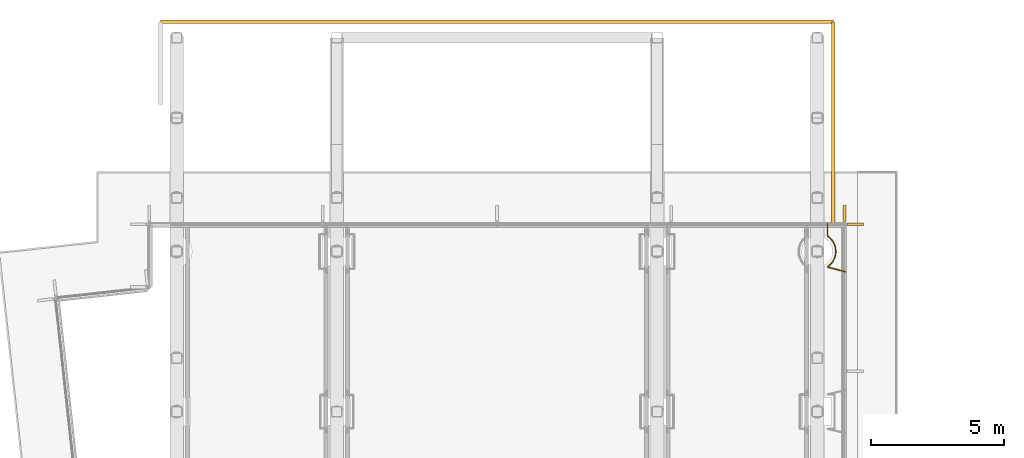
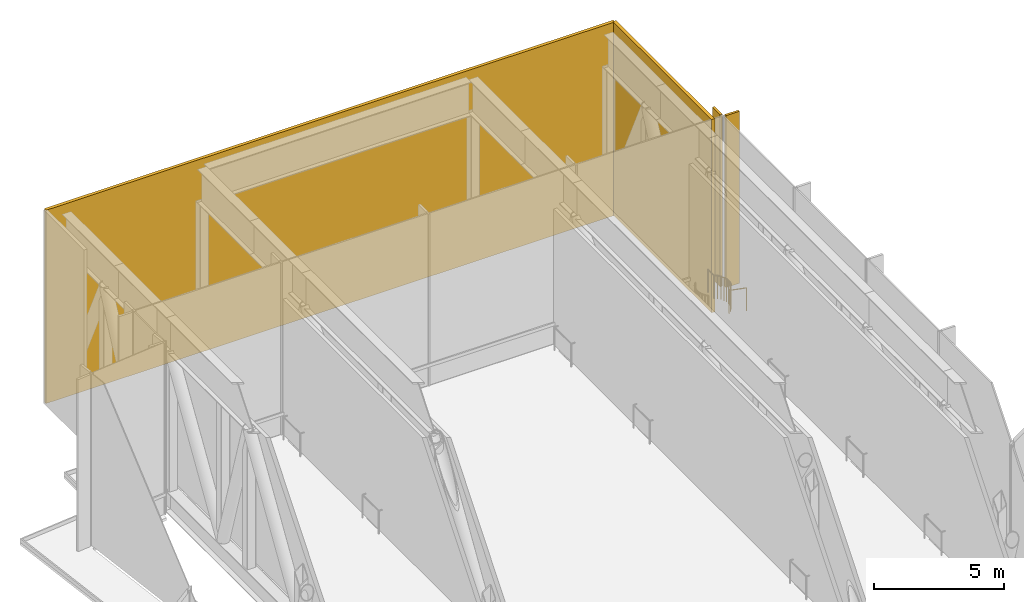
# One storey, part 25 of 25: 4 coverings, 1 railing.
"""IFC4 building model written with IfcOpenShell, lengths in metres."""

from ifc_helpers import new_model, si_unit, direction, frame, origin, origin_2d, place, context, subcontext, project, spatial, polyline, rectangle, circle, outline, extrude, material, layer, layer_set, type_object, element, save


model = new_model("IFC4")

# Units and contexts
model_context = context("Model", 3, precision=1e-05, world=origin(), true_north=direction((0.0, 1.0)))
body_context = subcontext(model_context, "Body", "Model", "MODEL_VIEW")
ifc_project = project(units=[si_unit("LENGTHUNIT", "METRE"), si_unit("AREAUNIT", "SQUARE_METRE"), si_unit("VOLUMEUNIT", "CUBIC_METRE"), si_unit("PLANEANGLEUNIT", "RADIAN"), si_unit("MASSUNIT", "GRAM", prefix="KILO")], contexts=[model_context])

# Site, building, storey
site_placement = place(None, origin())
site = spatial("IfcSite", under=ifc_project, at=site_placement, CompositionType="ELEMENT")
building_placement = place(site_placement, origin())
building = spatial("IfcBuilding", under=site, at=building_placement, Name="Welwitschia Terrace Campus", CompositionType="ELEMENT")
storey_placement = place(building_placement, frame((0.0, 0.0, 79.39990234375)))
storey = spatial("IfcBuildingStorey", under=building, at=storey_placement, Name="L18", CompositionType="ELEMENT", Elevation=79.39990234375)

# Coverings
ifc_material_1 = material(Name="Bronze anodised aluminium", Category="aluminium")
ifc_layer_1 = layer(ifc_material_1, 0.10009765625)
ifc_layer_set_1 = layer_set([ifc_layer_1], Name="Bronze anodised aluminium")
covering_type_1 = type_object("IfcCoveringType", Name="Bronze fin 100x600", PredefinedType="USERDEFINED", material=ifc_layer_set_1)
for number, where, z_axis, x_axis, name in (
    (1, (25.02001953125, 63.429931640625, 0.0), (0.0, 0.0, 1.0), (-1.0, 0.0, 0.0), "Fin L18.0.0"),
    (2, (25.429931640625, 63.02001953125, 0.0), (0.0, 0.0, 1.0), (0.0, 1.0, 0.0), "Fin L18.15.6"),
):
    element("IfcCovering", number, at=place(storey_placement, frame(where, z_axis=z_axis, x_axis=x_axis)), inside=storey, type_object=covering_type_1, Name=name, ObjectType="FIN", PredefinedType="USERDEFINED", context=body_context, shape_type="SweptSolid", body=[
        extrude(rectangle(XDim=0.10009765625, YDim=0.60009765625, at=origin_2d()), origin(), (0.0, 0.0, 1.0), 8.050048828125),
    ])

# Railing
ifc_material_2 = material(Name="Stainless steel grade 316", Category="steel")
railing_type = type_object("IfcRailingType", Name="Guard 1100", PredefinedType="GUARDRAIL", material=ifc_material_2)
railing_placement = place(storey_placement, frame((25.050048828125, 61.23681640625, 0.0)))
element("IfcRailing", 3, at=railing_placement, inside=storey, type_object=railing_type, Name="Guard floor edge L18.21", PredefinedType="GUARDRAIL", context=body_context, shape_type="SweptSolid", body=[
    extrude(circle(Radius=0.02392578125, at=origin_2d()), frame((0.0, 0.0, 1.076171875), z_axis=(-0.965265180142, 0.261272141656, 0.0), x_axis=(-0.261272141656, -0.965265180142, 0.0)), (0.0, 0.0, 1.0), 0.6943359375),
    extrude(circle(Radius=0.02392578125, at=origin_2d()), frame((-0.670166015625, 0.181396484375, 1.076171875), z_axis=(0.887754531449, 0.460317164455, 0.0), x_axis=(-0.460317164455, 0.887754531449, 0.0)), (0.0, 0.0, 1.0), 0.00732421875),
    extrude(circle(Radius=0.02392578125, at=origin_2d()), frame((-0.66357421875, 0.184814453125, 1.076171875), z_axis=(0.77187853694, 0.635770024625, 0.0), x_axis=(-0.635770024625, 0.77187853694, 0.0)), (0.0, 0.0, 1.0), 0.13623046875),
    extrude(circle(Radius=0.02392578125, at=origin_2d()), frame((-0.558349609375, 0.271484375, 1.076171875), z_axis=(0.635770024625, 0.77187853694, 0.0), x_axis=(-0.77187853694, 0.635770024625, 0.0)), (0.0, 0.0, 1.0), 0.13623046875),
    extrude(circle(Radius=0.02392578125, at=origin_2d()), frame((-0.4716796875, 0.376708984375, 1.076171875), z_axis=(0.470681121721, 0.882303395469, 0.0), x_axis=(-0.882303395469, 0.470681121721, 0.0)), (0.0, 0.0, 1.0), 0.136474609375),
    extrude(circle(Radius=0.02392578125, at=origin_2d()), frame((-0.407470703125, 0.4970703125, 1.076171875), z_axis=(0.290305798508, 0.956933928415, 0.0), x_axis=(-0.956933928415, 0.290305798508, 0.0)), (0.0, 0.0, 1.0), 0.13623046875),
    extrude(circle(Radius=0.02392578125, at=origin_2d()), frame((-0.367919921875, 0.62744140625, 1.076171875), z_axis=(0.098440399571, 0.995142948391, 0.0), x_axis=(-0.995142948391, 0.098440399571, 0.0)), (0.0, 0.0, 1.0), 0.136474609375),
    extrude(circle(Radius=0.02392578125, at=origin_2d()), frame((-0.3544921875, 0.76318359375, 1.076171875), z_axis=(-0.098440399571, 0.995142948391, 0.0), x_axis=(-0.995142948391, -0.098440399571, 0.0)), (0.0, 0.0, 1.0), 0.136474609375),
    extrude(circle(Radius=0.02392578125, at=origin_2d()), frame((-0.367919921875, 0.89892578125, 1.076171875), z_axis=(-0.290305798508, 0.956933928415, 0.0), x_axis=(-0.956933928415, -0.290305798508, 0.0)), (0.0, 0.0, 1.0), 0.13623046875),
    extrude(circle(Radius=0.02392578125, at=origin_2d()), frame((-0.407470703125, 1.029296875, 1.076171875), z_axis=(-0.470681121721, 0.882303395469, 0.0), x_axis=(-0.882303395469, -0.470681121721, 0.0)), (0.0, 0.0, 1.0), 0.136474609375),
    extrude(circle(Radius=0.02392578125, at=origin_2d()), frame((-0.4716796875, 1.149658203125, 1.076171875), z_axis=(-0.635770024625, 0.77187853694, 0.0), x_axis=(-0.77187853694, -0.635770024625, 0.0)), (0.0, 0.0, 1.0), 0.13623046875),
    extrude(circle(Radius=0.02392578125, at=origin_2d()), frame((-0.558349609375, 1.2548828125, 1.076171875), z_axis=(-0.77187853694, 0.635770024625, 0.0), x_axis=(-0.635770024625, -0.77187853694, 0.0)), (0.0, 0.0, 1.0), 0.13623046875),
    extrude(circle(Radius=0.02392578125, at=origin_2d()), frame((-0.66357421875, 1.341552734375, 1.076171875), z_axis=(-0.887754531449, 0.460317164455, 0.0), x_axis=(-0.460317164455, -0.887754531449, 0.0)), (0.0, 0.0, 1.0), 0.00732421875),
    extrude(circle(Radius=0.02392578125, at=origin_2d()), frame((-0.670166015625, 1.344970703125, 1.076171875), z_axis=(0.0, 1.0, 0.0), x_axis=(-1.0, 0.0, 0.0)), (0.0, 0.0, 1.0), 0.46826171875),
    extrude(circle(Radius=0.02099609375, at=origin_2d()), origin(), (0.0, 0.0, 1.0), 1.052001953125),
    extrude(circle(Radius=0.02099609375, at=origin_2d()), frame((-0.670166015625, 0.181396484375, 0.0)), (0.0, 0.0, 1.0), 1.052001953125),
    extrude(circle(Radius=0.02099609375, at=origin_2d()), frame((-0.66357421875, 0.184814453125, 0.0)), (0.0, 0.0, 1.0), 1.052001953125),
    extrude(circle(Radius=0.02099609375, at=origin_2d()), frame((-0.558349609375, 0.271484375, 0.0)), (0.0, 0.0, 1.0), 1.052001953125),
    extrude(circle(Radius=0.02099609375, at=origin_2d()), frame((-0.4716796875, 0.376708984375, 0.0)), (0.0, 0.0, 1.0), 1.052001953125),
    extrude(circle(Radius=0.02099609375, at=origin_2d()), frame((-0.407470703125, 0.4970703125, 0.0)), (0.0, 0.0, 1.0), 1.052001953125),
    extrude(circle(Radius=0.02099609375, at=origin_2d()), frame((-0.367919921875, 0.62744140625, 0.0)), (0.0, 0.0, 1.0), 1.052001953125),
    extrude(circle(Radius=0.02099609375, at=origin_2d()), frame((-0.3544921875, 0.76318359375, 0.0)), (0.0, 0.0, 1.0), 1.052001953125),
    extrude(circle(Radius=0.02099609375, at=origin_2d()), frame((-0.367919921875, 0.89892578125, 0.0)), (0.0, 0.0, 1.0), 1.052001953125),
    extrude(circle(Radius=0.02099609375, at=origin_2d()), frame((-0.407470703125, 1.029296875, 0.0)), (0.0, 0.0, 1.0), 1.052001953125),
    extrude(circle(Radius=0.02099609375, at=origin_2d()), frame((-0.4716796875, 1.149658203125, 0.0)), (0.0, 0.0, 1.0), 1.052001953125),
    extrude(circle(Radius=0.02099609375, at=origin_2d()), frame((-0.558349609375, 1.2548828125, 0.0)), (0.0, 0.0, 1.0), 1.052001953125),
    extrude(circle(Radius=0.02099609375, at=origin_2d()), frame((-0.66357421875, 1.341552734375, 0.0)), (0.0, 0.0, 1.0), 1.052001953125),
    extrude(circle(Radius=0.02099609375, at=origin_2d()), frame((-0.670166015625, 1.344970703125, 0.0)), (0.0, 0.0, 1.0), 1.052001953125),
    extrude(circle(Radius=0.02099609375, at=origin_2d()), frame((-0.670166015625, 1.813232421875, 0.0)), (0.0, 0.0, 1.0), 1.052001953125),
])

# Coverings
ifc_material_3 = material(Name="Bronze anodised aluminium", Category="aluminium")
ifc_layer_2 = layer(ifc_material_3, 0.139892578125)
ifc_layer_set_2 = layer_set([ifc_layer_2], Name="Bronze anodised aluminium")
covering_type_2 = type_object("IfcCoveringType", Name="Soffit fascia cladding 140", PredefinedType="CLADDING", material=ifc_layer_set_2)
covering_1_placement = place(storey_placement, frame((0.0, 0.0, -1.0)))
element("IfcCovering", 4, at=covering_1_placement, inside=storey, type_object=covering_type_2, Name="Clad fascia L18.tip fascia Nt0 end", PredefinedType="CLADDING", context=body_context, shape_type="SweptSolid", body=[
    extrude(outline(polyline([(24.60009765625, 70.669921875), (-0.60009765625, 70.669921875), (-0.60009765625, 70.530029296875), (24.60009765625, 70.530029296875), (24.60009765625, 70.669921875)])), origin(), (0.0, 0.0, 1.0), 9.050048828125),
])
covering_2_placement = place(storey_placement, frame((0.0, 0.0, -1.0)))
element("IfcCovering", 5, at=covering_2_placement, inside=storey, type_object=covering_type_2, Name="Clad fascia L18.tip fascia Nt0 e", PredefinedType="CLADDING", context=body_context, shape_type="SweptSolid", body=[
    extrude(outline(polyline([(24.530029296875, 70.60009765625), (24.530029296875, 63.02001953125), (24.669921875, 63.02001953125), (24.669921875, 70.60009765625), (24.530029296875, 70.60009765625)])), origin(), (0.0, 0.0, 1.0), 9.050048828125),
])

save(model, "model.ifc")
